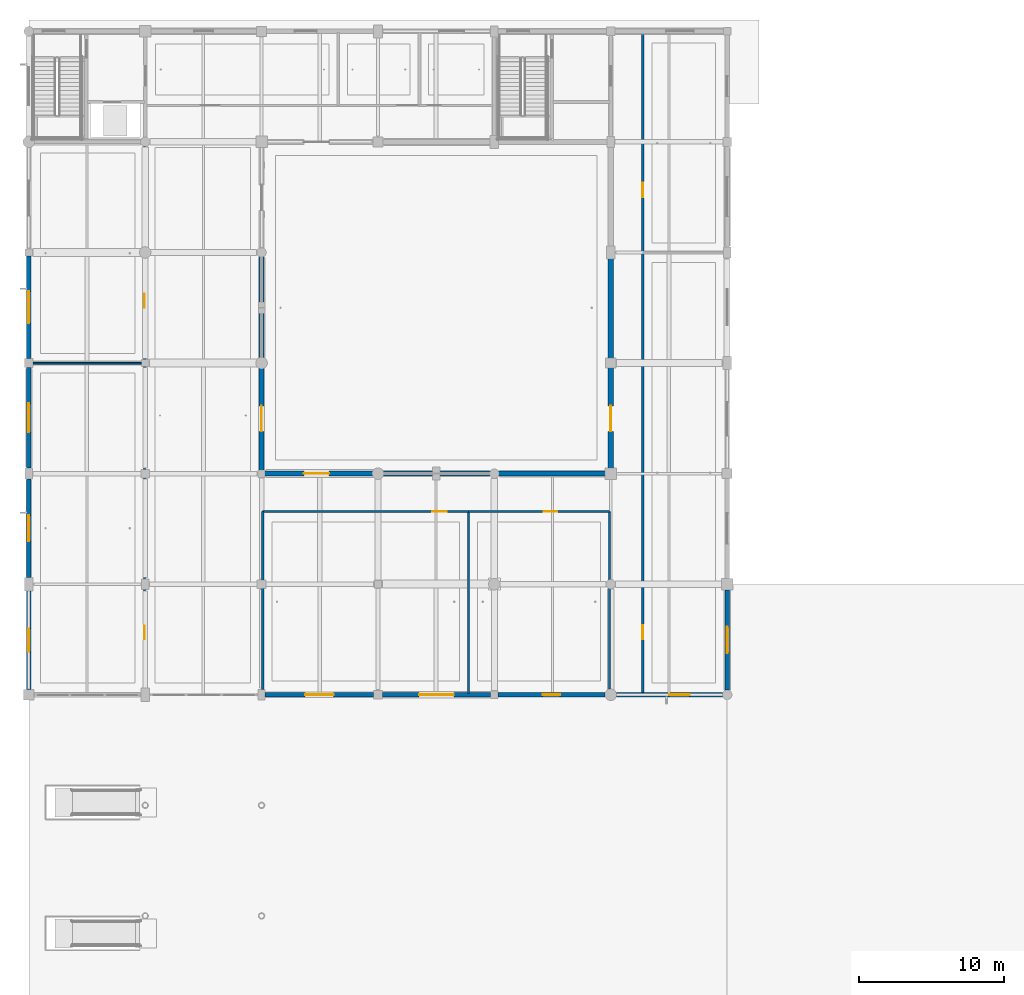
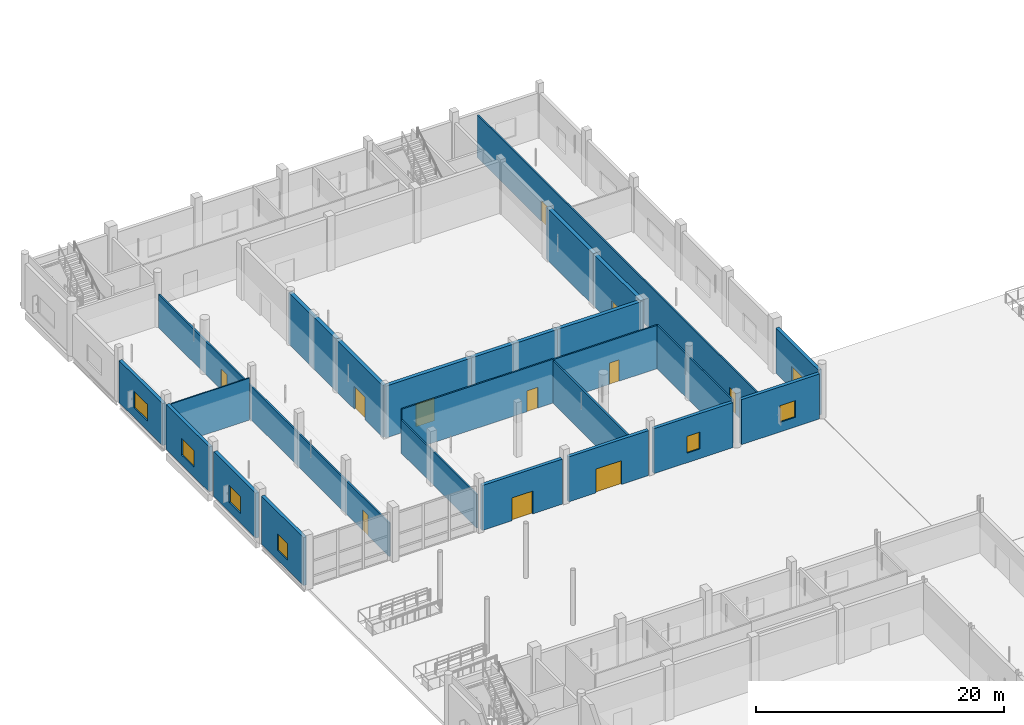
# One storey, part 64 of 126: 24 walls, 12 doors, 6 windows, 18 openings.
"""IFC4 building model written with IfcOpenShell, lengths in metres."""

from ifc_helpers import new_model, si_unit, direction, frame, frame_2d, origin, place, context, subcontext, project, spatial, rectangle, extrude, material, layer, layer_set, type_object, element, fill, save


model = new_model("IFC4")

# Units and contexts
model_context = context("Model", 3, precision=1e-05, world=origin(), true_north=direction((0.0, 1.0)))
body_context = subcontext(model_context, "Body", "Model", "MODEL_VIEW")
ifc_project = project(units=[si_unit("LENGTHUNIT", "METRE"), si_unit("AREAUNIT", "SQUARE_METRE"), si_unit("VOLUMEUNIT", "CUBIC_METRE"), si_unit("PLANEANGLEUNIT", "RADIAN"), si_unit("MASSUNIT", "GRAM", prefix="KILO")], contexts=[model_context])

# Site, building, storey
site_placement = place(None, origin())
site = spatial("IfcSite", under=ifc_project, at=site_placement, CompositionType="ELEMENT")
building_placement = place(site_placement, origin())
building = spatial("IfcBuilding", under=site, at=building_placement, Name="Khelvaren Railside Concert Hall", CompositionType="ELEMENT")
storey_placement = place(building_placement, origin())
storey = spatial("IfcBuildingStorey", under=building, at=storey_placement, Name="L00", CompositionType="ELEMENT", Elevation=0.0)

# Wall, opening, door
ifc_material_1 = material(Name="Board-marked architectural concrete C40/50", Category="concrete")
ifc_layer_1 = layer(ifc_material_1, 0.31005859375)
ifc_layer_set_1 = layer_set([ifc_layer_1], Name="Board-marked architectural concrete C40/50")
wall_type_1 = type_object("IfcWallType", Name="EW33", PredefinedType="SOLIDWALL", material=ifc_layer_set_1)
wall_1_placement = place(storey_placement, frame((23.699951171875, 68.39990234375, 0.0), z_axis=(0.0, 0.0, 1.0), x_axis=(-1.0, 0.0, 0.0)))
wall_1 = element("IfcWall", 1, at=wall_1_placement, inside=storey, type_object=wall_type_1, Name="V4 L00 Exterior Concrete Wall S-16", PredefinedType="SOLIDWALL", context=body_context, shape_type="SweptSolid", body=[
    extrude(rectangle(XDim=7.449951171875, YDim=0.31005859375, at=frame_2d((3.72509765625, 0.0))), origin(), (0.0, 0.0, 1.0), 4.43994140625),
])
opening_1_placement = place(wall_1_placement, frame((2.75, 0.0, 0.0)))
opening_1 = element("IfcOpeningElement", 2, at=opening_1_placement, cuts=wall_1, Name="Opening E-V4-01", PredefinedType="OPENING", context=body_context, shape_type="SweptSolid", body=[
    extrude(rectangle(XDim=1.949951171875, YDim=2.25, at=frame_2d((0.97509765625, 1.125))), frame((0.0, 0.1650390625, 0.0), z_axis=(0.0, -1.0, 0.0), x_axis=(1.0, 0.0, 0.0)), (0.0, 0.0, 1.0), 0.330078125),
])
ifc_material_2 = material(Name="Anodised bronze glazed entrance door", Category="aluminium")
door_type_1 = type_object("IfcDoorType", Name="EDR69", OperationType="NOTDEFINED", PredefinedType="DOOR", material=ifc_material_2)
door_1_placement = place(opening_1_placement, origin())
door_1 = element("IfcDoor", 3, at=door_1_placement, inside=storey, type_object=door_type_1, Name="Public Entrance Exit Door E-V4-01", OperationType="SINGLE_SWING_RIGHT", OverallHeight=2.25, OverallWidth=1.949951171875, PredefinedType="DOOR", context=body_context, shape_type="SweptSolid", body=[
    extrude(rectangle(XDim=1.949951171875, YDim=2.25, at=frame_2d((0.97509765625, 1.125))), frame((0.0, 0.02490234375, 0.0), z_axis=(0.0, -1.0, 0.0), x_axis=(1.0, 0.0, 0.0)), (0.0, 0.0, 1.0), 0.050048828125),
])
fill(opening_1, door_1)

wall_2_placement = place(storey_placement, frame((31.75, 68.39990234375, 0.0), z_axis=(0.0, 0.0, 1.0), x_axis=(-1.0, 0.0, 0.0)))
wall_2 = element("IfcWall", 4, at=wall_2_placement, inside=storey, type_object=wall_type_1, Name="V4 L00 Exterior Concrete Wall S-24", PredefinedType="SOLIDWALL", context=body_context, shape_type="SweptSolid", body=[
    extrude(rectangle(XDim=7.449951171875, YDim=0.31005859375, at=frame_2d((3.72509765625, 0.0))), origin(), (0.0, 0.0, 1.0), 4.43994140625),
])
opening_2_placement = place(wall_2_placement, frame((2.52490234375, 0.0, 0.0)))
opening_2 = element("IfcOpeningElement", 5, at=opening_2_placement, cuts=wall_2, Name="Opening E-V4-03", PredefinedType="OPENING", context=body_context, shape_type="SweptSolid", body=[
    extrude(rectangle(XDim=2.39990234375, YDim=2.35009765625, at=frame_2d((1.199951171875, 1.175048828125))), frame((0.0, 0.1650390625, 0.0), z_axis=(0.0, -1.0, 0.0), x_axis=(1.0, 0.0, 0.0)), (0.0, 0.0, 1.0), 0.330078125),
])
door_type_2 = type_object("IfcDoorType", Name="EDR86", OperationType="NOTDEFINED", PredefinedType="DOOR", material=ifc_material_2)
door_2_placement = place(opening_2_placement, origin())
door_2 = element("IfcDoor", 6, at=door_2_placement, inside=storey, type_object=door_type_2, Name="Public Entrance Exit Door E-V4-03", OperationType="SINGLE_SWING_LEFT", OverallHeight=2.35009765625, OverallWidth=2.39990234375, PredefinedType="DOOR", context=body_context, shape_type="SweptSolid", body=[
    extrude(rectangle(XDim=2.39990234375, YDim=2.35009765625, at=frame_2d((1.199951171875, 1.175048828125))), frame((0.0, 0.02490234375, 0.0), z_axis=(0.0, -1.0, 0.0), x_axis=(1.0, 0.0, 0.0)), (0.0, 0.0, 1.0), 0.050048828125),
])
fill(opening_2, door_2)

# Wall, opening, window
wall_3_placement = place(storey_placement, frame((39.60009765625, 68.39990234375, 0.0), z_axis=(0.0, 0.0, 1.0), x_axis=(-1.0, 0.0, 0.0)))
wall_3 = element("IfcWall", 7, at=wall_3_placement, inside=storey, type_object=wall_type_1, Name="V4 L00 Exterior Concrete Wall S-32", PredefinedType="SOLIDWALL", context=body_context, shape_type="SweptSolid", body=[
    extrude(rectangle(XDim=7.35009765625, YDim=0.31005859375, at=frame_2d((3.675048828125, 0.0))), origin(), (0.0, 0.0, 1.0), 4.43994140625),
])
opening_3_placement = place(wall_3_placement, frame((3.074951171875, 0.0, 0.949951171875)))
opening_3 = element("IfcOpeningElement", 8, at=opening_3_placement, cuts=wall_3, Name="Opening WN89", PredefinedType="OPENING", context=body_context, shape_type="SweptSolid", body=[
    extrude(rectangle(XDim=1.199951171875, YDim=1.64990234375, at=frame_2d((0.60009765625, 0.824951171875))), frame((0.0, 0.1650390625, 0.0), z_axis=(0.0, -1.0, 0.0), x_axis=(1.0, 0.0, 0.0)), (0.0, 0.0, 1.0), 0.330078125),
])
ifc_material_3 = material(Name="Triple-glazed acoustic aluminium window", Category="aluminium")
window_type_1 = type_object("IfcWindowType", Name="WN89", PartitioningType="SINGLE_PANEL", PredefinedType="WINDOW", material=ifc_material_3)
window_1_placement = place(opening_3_placement, origin())
window_1 = element("IfcWindow", 9, at=window_1_placement, inside=storey, type_object=window_type_1, Name="Acoustic Facade Window EW-V4-L00-S-32", OverallHeight=1.64990234375, OverallWidth=1.199951171875, PartitioningType="SINGLE_PANEL", PredefinedType="WINDOW", context=body_context, shape_type="SweptSolid", body=[
    extrude(rectangle(XDim=1.199951171875, YDim=1.64990234375, at=frame_2d((0.60009765625, 0.824951171875))), frame((0.0, 0.030029296875, 0.0), z_axis=(0.0, -1.0, 0.0), x_axis=(1.0, 0.0, 0.0)), (0.0, 0.0, 1.0), 0.06005859375),
])
fill(opening_3, window_1)

wall_4_placement = place(storey_placement, frame((47.675048828125, 68.39990234375, 0.0), z_axis=(0.0, 0.0, 1.0), x_axis=(-1.0, 0.0, 0.0)))
wall_4 = element("IfcWall", 10, at=wall_4_placement, inside=storey, type_object=wall_type_1, Name="V4 L00 Exterior Concrete Wall S-40", PredefinedType="SOLIDWALL", context=body_context, shape_type="SweptSolid", body=[
    extrude(rectangle(XDim=7.275146484375, YDim=0.31005859375, at=frame_2d((3.6376953125, 0.0))), origin(), (0.0, 0.0, 1.0), 4.43994140625),
])
opening_4_placement = place(wall_4_placement, frame((2.262451171875, 0.0, 0.949951171875)))
opening_4 = element("IfcOpeningElement", 11, at=opening_4_placement, cuts=wall_4, Name="Opening WN11", PredefinedType="OPENING", context=body_context, shape_type="SweptSolid", body=[
    extrude(rectangle(XDim=1.39990234375, YDim=1.64990234375, at=frame_2d((0.699951171875, 0.824951171875))), frame((0.0, 0.1650390625, 0.0), z_axis=(0.0, -1.0, 0.0), x_axis=(1.0, 0.0, 0.0)), (0.0, 0.0, 1.0), 0.330078125),
])
window_type_2 = type_object("IfcWindowType", Name="WN11", PartitioningType="SINGLE_PANEL", PredefinedType="WINDOW", material=ifc_material_3)
window_2_placement = place(opening_4_placement, origin())
window_2 = element("IfcWindow", 12, at=window_2_placement, inside=storey, type_object=window_type_2, Name="Acoustic Facade Window EW-V4-L00-S-40", OverallHeight=1.64990234375, OverallWidth=1.39990234375, PartitioningType="SINGLE_PANEL", PredefinedType="WINDOW", context=body_context, shape_type="SweptSolid", body=[
    extrude(rectangle(XDim=1.39990234375, YDim=1.64990234375, at=frame_2d((0.699951171875, 0.824951171875))), frame((0.0, 0.030029296875, 0.0), z_axis=(0.0, -1.0, 0.0), x_axis=(1.0, 0.0, 0.0)), (0.0, 0.0, 1.0), 0.06005859375),
])
fill(opening_4, window_2)

wall_5_placement = place(storey_placement, frame((0.0, 68.75, 0.0), z_axis=(0.0, 0.0, 1.0), x_axis=(0.0, 1.0, 0.0)))
wall_5 = element("IfcWall", 13, at=wall_5_placement, inside=storey, type_object=wall_type_1, Name="V4 L00 Exterior Concrete Wall W-68", PredefinedType="SOLIDWALL", context=body_context, shape_type="SweptSolid", body=[
    extrude(rectangle(XDim=6.800048828125, YDim=0.31005859375, at=frame_2d((3.39990234375, 0.0))), origin(), (0.0, 0.0, 1.0), 4.72998046875),
])
opening_5_placement = place(wall_5_placement, frame((2.60009765625, 0.0, 0.949951171875)))
opening_5 = element("IfcOpeningElement", 14, at=opening_5_placement, cuts=wall_5, Name="Opening WN73", PredefinedType="OPENING", context=body_context, shape_type="SweptSolid", body=[
    extrude(rectangle(XDim=1.60009765625, YDim=1.64990234375, at=frame_2d((0.800048828125, 0.824951171875))), frame((0.0, 0.1650390625, 0.0), z_axis=(0.0, -1.0, 0.0), x_axis=(1.0, 0.0, 0.0)), (0.0, 0.0, 1.0), 0.330078125),
])
window_type_3 = type_object("IfcWindowType", Name="WN73", PartitioningType="SINGLE_PANEL", PredefinedType="WINDOW", material=ifc_material_3)
window_3_placement = place(opening_5_placement, origin())
window_3 = element("IfcWindow", 15, at=window_3_placement, inside=storey, type_object=window_type_3, Name="Acoustic Facade Window EW-V4-L00-W-68", OverallHeight=1.64990234375, OverallWidth=1.60009765625, PartitioningType="SINGLE_PANEL", PredefinedType="WINDOW", context=body_context, shape_type="SweptSolid", body=[
    extrude(rectangle(XDim=1.60009765625, YDim=1.64990234375, at=frame_2d((0.800048828125, 0.824951171875))), frame((0.0, 0.030029296875, 0.0), z_axis=(0.0, -1.0, 0.0), x_axis=(1.0, 0.0, 0.0)), (0.0, 0.0, 1.0), 0.06005859375),
])
fill(opening_5, window_3)

wall_6_placement = place(storey_placement, frame((0.0, 76.449951171875, 0.0), z_axis=(0.0, 0.0, 1.0), x_axis=(0.0, 1.0, 0.0)))
wall_6 = element("IfcWall", 16, at=wall_6_placement, inside=storey, type_object=wall_type_1, Name="V4 L00 Exterior Concrete Wall W-76", PredefinedType="SOLIDWALL", context=body_context, shape_type="SweptSolid", body=[
    extrude(rectangle(XDim=6.775146484375, YDim=0.31005859375, at=frame_2d((3.3876953125, 0.0))), origin(), (0.0, 0.0, 1.0), 4.43994140625),
])
opening_6_placement = place(wall_6_placement, frame((2.487548828125, 0.0, 0.949951171875)))
opening_6 = element("IfcOpeningElement", 17, at=opening_6_placement, cuts=wall_6, Name="Opening WN96", PredefinedType="OPENING", context=body_context, shape_type="SweptSolid", body=[
    extrude(rectangle(XDim=1.800048828125, YDim=1.64990234375, at=frame_2d((0.89990234375, 0.824951171875))), frame((0.0, 0.1650390625, 0.0), z_axis=(0.0, -1.0, 0.0), x_axis=(1.0, 0.0, 0.0)), (0.0, 0.0, 1.0), 0.330078125),
])
window_type_4 = type_object("IfcWindowType", Name="WN96", PartitioningType="DOUBLE_PANEL_VERTICAL", PredefinedType="WINDOW", material=ifc_material_3)
window_4_placement = place(opening_6_placement, origin())
window_4 = element("IfcWindow", 18, at=window_4_placement, inside=storey, type_object=window_type_4, Name="Acoustic Facade Window EW-V4-L00-W-76", OverallHeight=1.64990234375, OverallWidth=1.800048828125, PartitioningType="DOUBLE_PANEL_VERTICAL", PredefinedType="WINDOW", context=body_context, shape_type="SweptSolid", body=[
    extrude(rectangle(XDim=1.800048828125, YDim=1.64990234375, at=frame_2d((0.89990234375, 0.824951171875))), frame((0.0, 0.030029296875, 0.0), z_axis=(0.0, -1.0, 0.0), x_axis=(1.0, 0.0, 0.0)), (0.0, 0.0, 1.0), 0.06005859375),
])
fill(opening_6, window_4)

wall_7_placement = place(storey_placement, frame((0.0, 83.97509765625, 0.0), z_axis=(0.0, 0.0, 1.0), x_axis=(0.0, 1.0, 0.0)))
wall_7 = element("IfcWall", 19, at=wall_7_placement, inside=storey, type_object=wall_type_1, Name="V4 L00 Exterior Concrete Wall W-84", PredefinedType="SOLIDWALL", context=body_context, shape_type="SweptSolid", body=[
    extrude(rectangle(XDim=6.9248046875, YDim=0.31005859375, at=frame_2d((3.46240234375, 0.0))), origin(), (0.0, 0.0, 1.0), 4.43994140625),
])
opening_7_placement = place(wall_7_placement, frame((2.46240234375, 0.0, 0.949951171875)))
opening_7 = element("IfcOpeningElement", 20, at=opening_7_placement, cuts=wall_7, Name="Opening WN51", PredefinedType="OPENING", context=body_context, shape_type="SweptSolid", body=[
    extrude(rectangle(XDim=2.0, YDim=1.64990234375, at=frame_2d((1.0, 0.824951171875))), frame((0.0, 0.1650390625, 0.0), z_axis=(0.0, -1.0, 0.0), x_axis=(1.0, 0.0, 0.0)), (0.0, 0.0, 1.0), 0.330078125),
])
window_type_5 = type_object("IfcWindowType", Name="WN51", PartitioningType="DOUBLE_PANEL_VERTICAL", PredefinedType="WINDOW", material=ifc_material_3)
window_5_placement = place(opening_7_placement, origin())
window_5 = element("IfcWindow", 21, at=window_5_placement, inside=storey, type_object=window_type_5, Name="Acoustic Facade Window EW-V4-L00-W-84", OverallHeight=1.64990234375, OverallWidth=2.0, PartitioningType="DOUBLE_PANEL_VERTICAL", PredefinedType="WINDOW", context=body_context, shape_type="SweptSolid", body=[
    extrude(rectangle(XDim=2.0, YDim=1.64990234375, at=frame_2d((1.0, 0.824951171875))), frame((0.0, 0.030029296875, 0.0), z_axis=(0.0, -1.0, 0.0), x_axis=(1.0, 0.0, 0.0)), (0.0, 0.0, 1.0), 0.06005859375),
])
fill(opening_7, window_5)

wall_8_placement = place(storey_placement, frame((0.0, 91.5, 0.0), z_axis=(0.0, 0.0, 1.0), x_axis=(0.0, 1.0, 0.0)))
wall_8 = element("IfcWall", 22, at=wall_8_placement, inside=storey, type_object=wall_type_1, Name="V4 L00 Exterior Concrete Wall W-91", PredefinedType="SOLIDWALL", context=body_context, shape_type="SweptSolid", body=[
    extrude(rectangle(XDim=7.050048828125, YDim=0.31005859375, at=frame_2d((3.52490234375, 0.0))), origin(), (0.0, 0.0, 1.0), 4.139892578125),
])
opening_8_placement = place(wall_8_placement, frame((2.425048828125, 0.0, 0.949951171875)))
opening_8 = element("IfcOpeningElement", 23, at=opening_8_placement, cuts=wall_8, Name="Opening WN37", PredefinedType="OPENING", context=body_context, shape_type="SweptSolid", body=[
    extrude(rectangle(XDim=2.199951171875, YDim=1.64990234375, at=frame_2d((1.10009765625, 0.824951171875))), frame((0.0, 0.1650390625, 0.0), z_axis=(0.0, -1.0, 0.0), x_axis=(1.0, 0.0, 0.0)), (0.0, 0.0, 1.0), 0.330078125),
])
window_type_6 = type_object("IfcWindowType", Name="WN37", PartitioningType="DOUBLE_PANEL_VERTICAL", PredefinedType="WINDOW", material=ifc_material_3)
window_6_placement = place(opening_8_placement, origin())
window_6 = element("IfcWindow", 24, at=window_6_placement, inside=storey, type_object=window_type_6, Name="Acoustic Facade Window EW-V4-L00-W-91", OverallHeight=1.64990234375, OverallWidth=2.199951171875, PartitioningType="DOUBLE_PANEL_VERTICAL", PredefinedType="WINDOW", context=body_context, shape_type="SweptSolid", body=[
    extrude(rectangle(XDim=2.199951171875, YDim=1.64990234375, at=frame_2d((1.10009765625, 0.824951171875))), frame((0.0, 0.030029296875, 0.0), z_axis=(0.0, -1.0, 0.0), x_axis=(1.0, 0.0, 0.0)), (0.0, 0.0, 1.0), 0.06005859375),
])
fill(opening_8, window_6)

# Wall, opening, door
wall_9_placement = place(storey_placement, frame((48.0, 75.60009765625, 0.0), z_axis=(0.0, 0.0, 1.0), x_axis=(0.0, -1.0, 0.0)))
wall_9 = element("IfcWall", 25, at=wall_9_placement, inside=storey, type_object=wall_type_1, Name="V4 L00 Exterior Concrete Wall E-68", PredefinedType="SOLIDWALL", context=body_context, shape_type="SweptSolid", body=[
    extrude(rectangle(XDim=6.875, YDim=0.31005859375, at=frame_2d((3.4375, 0.0))), origin(), (0.0, 0.0, 1.0), 4.43994140625),
])
opening_9_placement = place(wall_9_placement, frame((2.53759765625, 0.0, 0.0)))
opening_9 = element("IfcOpeningElement", 26, at=opening_9_placement, cuts=wall_9, Name="Opening E-V4-02", PredefinedType="OPENING", context=body_context, shape_type="SweptSolid", body=[
    extrude(rectangle(XDim=1.800048828125, YDim=2.199951171875, at=frame_2d((0.89990234375, 1.10009765625))), frame((0.0, 0.1650390625, 0.0), z_axis=(0.0, -1.0, 0.0), x_axis=(1.0, 0.0, 0.0)), (0.0, 0.0, 1.0), 0.330078125),
])
door_type_3 = type_object("IfcDoorType", Name="EDR55", OperationType="NOTDEFINED", PredefinedType="DOOR", material=ifc_material_2)
door_3_placement = place(opening_9_placement, origin())
door_3 = element("IfcDoor", 27, at=door_3_placement, inside=storey, type_object=door_type_3, Name="Public Entrance Exit Door E-V4-02", OperationType="SINGLE_SWING_RIGHT", OverallHeight=2.199951171875, OverallWidth=1.800048828125, PredefinedType="DOOR", context=body_context, shape_type="SweptSolid", body=[
    extrude(rectangle(XDim=1.800048828125, YDim=2.199951171875, at=frame_2d((0.89990234375, 1.10009765625))), frame((0.0, 0.02490234375, 0.0), z_axis=(0.0, -1.0, 0.0), x_axis=(1.0, 0.0, 0.0)), (0.0, 0.0, 1.0), 0.050048828125),
])
fill(opening_9, door_3)

# Wall, openings, doors
ifc_material_4 = material(Name="Acoustic double-stud gypsum partition", Category="gypsum")
ifc_layer_2 = layer(ifc_material_4, 0.139892578125)
ifc_layer_set_2 = layer_set([ifc_layer_2], Name="Acoustic double-stud gypsum partition")
wall_type_2 = type_object("IfcWallType", Name="PT55", PredefinedType="PARTITIONING", material=ifc_layer_set_2)
wall_10_placement = place(storey_placement, frame((42.199951171875, 68.47998046875, 0.0), z_axis=(0.0, 0.0, 1.0), x_axis=(0.0, 1.0, 0.0)))
wall_10 = element("IfcWall", 28, at=wall_10_placement, inside=storey, type_object=wall_type_2, Name="Acoustic Partition Wall PW-V4-L00-EB-W", PredefinedType="PARTITIONING", context=body_context, shape_type="SweptSolid", body=[
    extrude(rectangle(XDim=45.43994140625, YDim=0.139892578125, at=frame_2d((22.719970703125, 0.0))), origin(), (0.0, 0.0, 1.0), 4.22509765625),
])
opening_10_placement = place(wall_10_placement, frame((3.719970703125, 0.0, 0.0)))
opening_10 = element("IfcOpeningElement", 29, at=opening_10_placement, cuts=wall_10, Name="Opening IDR23", PredefinedType="OPENING", context=body_context, shape_type="SweptSolid", body=[
    extrude(rectangle(XDim=0.97998046875, YDim=2.050048828125, at=frame_2d((0.489990234375, 1.02490234375))), frame((0.0, 0.079833984375, 0.0), z_axis=(0.0, -1.0, 0.0), x_axis=(1.0, 0.0, 0.0)), (0.0, 0.0, 1.0), 0.159912109375),
])
opening_11_placement = place(wall_10_placement, frame((34.1201171875, 0.0, 0.0)))
opening_11 = element("IfcOpeningElement", 30, at=opening_11_placement, cuts=wall_10, Name="Opening IDR21", PredefinedType="OPENING", context=body_context, shape_type="SweptSolid", body=[
    extrude(rectangle(XDim=1.0, YDim=2.050048828125, at=frame_2d((0.5, 1.02490234375))), frame((0.0, 0.079833984375, 0.0), z_axis=(0.0, -1.0, 0.0), x_axis=(1.0, 0.0, 0.0)), (0.0, 0.0, 1.0), 0.159912109375),
])
ifc_material_5 = material(Name="Solid oak acoustic studio door", Category="wood")
door_type_4 = type_object("IfcDoorType", Name="IDR21", OperationType="NOTDEFINED", PredefinedType="DOOR", material=ifc_material_5)
door_4_placement = place(opening_11_placement, origin())
door_4 = element("IfcDoor", 31, at=door_4_placement, inside=storey, type_object=door_type_4, Name="Interior Door DR-V4-L00-EB-02", OperationType="SINGLE_SWING_LEFT", OverallHeight=2.050048828125, OverallWidth=1.0, PredefinedType="DOOR", context=body_context, shape_type="SweptSolid", body=[
    extrude(rectangle(XDim=1.0, YDim=2.050048828125, at=frame_2d((0.5, 1.02490234375))), frame((0.0, 0.02490234375, 0.0), z_axis=(0.0, -1.0, 0.0), x_axis=(1.0, 0.0, 0.0)), (0.0, 0.0, 1.0), 0.050048828125),
])
fill(opening_11, door_4)
door_type_5 = type_object("IfcDoorType", Name="IDR23", OperationType="NOTDEFINED", PredefinedType="DOOR", material=ifc_material_5)
door_5_placement = place(opening_10_placement, origin())
door_5 = element("IfcDoor", 32, at=door_5_placement, inside=storey, type_object=door_type_5, Name="Interior Door DR-V4-L00-EB-01", OperationType="SINGLE_SWING_RIGHT", OverallHeight=2.050048828125, OverallWidth=0.97998046875, PredefinedType="DOOR", context=body_context, shape_type="SweptSolid", body=[
    extrude(rectangle(XDim=0.97998046875, YDim=2.050048828125, at=frame_2d((0.489990234375, 1.02490234375))), frame((0.0, 0.02490234375, 0.0), z_axis=(0.0, -1.0, 0.0), x_axis=(1.0, 0.0, 0.0)), (0.0, 0.0, 1.0), 0.050048828125),
])
fill(opening_10, door_5)

# Wall, opening, door
wall_11_placement = place(storey_placement, frame((16.080078125, 81.0, 0.0), z_axis=(0.0, 0.0, 1.0), x_axis=(1.0, 0.0, 0.0)))
wall_11 = element("IfcWall", 33, at=wall_11_placement, inside=storey, type_object=wall_type_2, Name="Acoustic Partition Wall PW-V4-L00-SB-C01", PredefinedType="PARTITIONING", context=body_context, shape_type="SweptSolid", body=[
    extrude(rectangle(XDim=14.141845703125, YDim=0.139892578125, at=frame_2d((7.07080078125, 0.0))), origin(), (0.0, 0.0, 1.0), 4.324951171875),
])
opening_12_placement = place(wall_11_placement, frame((11.65185546875, 0.0, 0.0)))
opening_12 = element("IfcOpeningElement", 34, at=opening_12_placement, cuts=wall_11, Name="Opening IDR21", PredefinedType="OPENING", context=body_context, shape_type="SweptSolid", body=[
    extrude(rectangle(XDim=1.0, YDim=2.050048828125, at=frame_2d((0.5, 1.02490234375))), frame((0.0, 0.079833984375, 0.0), z_axis=(0.0, -1.0, 0.0), x_axis=(1.0, 0.0, 0.0)), (0.0, 0.0, 1.0), 0.159912109375),
])
door_6_placement = place(opening_12_placement, origin())
door_6 = element("IfcDoor", 35, at=door_6_placement, inside=storey, type_object=door_type_4, Name="Interior Door DR-V4-L00-SB-01", OperationType="SINGLE_SWING_RIGHT", OverallHeight=2.050048828125, OverallWidth=1.0, PredefinedType="DOOR", context=body_context, shape_type="SweptSolid", body=[
    extrude(rectangle(XDim=1.0, YDim=2.050048828125, at=frame_2d((0.5, 1.02490234375))), frame((0.0, 0.02490234375, 0.0), z_axis=(0.0, -1.0, 0.0), x_axis=(1.0, 0.0, 0.0)), (0.0, 0.0, 1.0), 0.050048828125),
])
fill(opening_12, door_6)

wall_12_placement = place(storey_placement, frame((30.221923828125, 81.0, 0.0), z_axis=(0.0, 0.0, 1.0), x_axis=(1.0, 0.0, 0.0)))
wall_12 = element("IfcWall", 36, at=wall_12_placement, inside=storey, type_object=wall_type_2, Name="Acoustic Partition Wall PW-V4-L00-SB-C02", PredefinedType="PARTITIONING", context=body_context, shape_type="SweptSolid", body=[
    extrude(rectangle(XDim=9.697998046875, YDim=0.139892578125, at=frame_2d((4.84912109375, 0.0))), origin(), (0.0, 0.0, 1.0), 4.27490234375),
])
opening_13_placement = place(wall_12_placement, frame((5.1748046875, 0.0, 0.0)))
opening_13 = element("IfcOpeningElement", 37, at=opening_13_placement, cuts=wall_12, Name="Opening IDR30", PredefinedType="OPENING", context=body_context, shape_type="SweptSolid", body=[
    extrude(rectangle(XDim=0.929931640625, YDim=2.10009765625, at=frame_2d((0.46484375, 1.050048828125))), frame((0.0, 0.079833984375, 0.0), z_axis=(0.0, -1.0, 0.0), x_axis=(1.0, 0.0, 0.0)), (0.0, 0.0, 1.0), 0.159912109375),
])
door_type_6 = type_object("IfcDoorType", Name="IDR30", OperationType="NOTDEFINED", PredefinedType="DOOR", material=ifc_material_5)
door_7_placement = place(opening_13_placement, origin())
door_7 = element("IfcDoor", 38, at=door_7_placement, inside=storey, type_object=door_type_6, Name="Interior Door DR-V4-L00-SB-02", OperationType="SINGLE_SWING_LEFT", OverallHeight=2.10009765625, OverallWidth=0.929931640625, PredefinedType="DOOR", context=body_context, shape_type="SweptSolid", body=[
    extrude(rectangle(XDim=0.929931640625, YDim=2.10009765625, at=frame_2d((0.46484375, 1.050048828125))), frame((0.0, 0.02490234375, 0.0), z_axis=(0.0, -1.0, 0.0), x_axis=(1.0, 0.0, 0.0)), (0.0, 0.0, 1.0), 0.050048828125),
])
fill(opening_13, door_7)

# Walls
wall_13_placement = place(storey_placement, frame((16.080078125, 68.77490234375, 0.0), z_axis=(0.0, 0.0, 1.0), x_axis=(0.0, 1.0, 0.0)))
element("IfcWall", 39, at=wall_13_placement, inside=storey, type_object=wall_type_2, Name="Acoustic Partition Wall PW-V4-L00-SB-W0", PredefinedType="PARTITIONING", context=body_context, shape_type="SweptSolid", body=[
    extrude(rectangle(XDim=12.22509765625, YDim=0.139892578125, at=frame_2d((6.112548828125, 0.0))), origin(), (0.0, 0.0, 1.0), 3.2900390625),
])
wall_14_placement = place(storey_placement, frame((39.919921875, 68.800048828125, 0.0), z_axis=(0.0, 0.0, 1.0), x_axis=(0.0, 1.0, 0.0)))
element("IfcWall", 40, at=wall_14_placement, inside=storey, type_object=wall_type_2, Name="Acoustic Partition Wall PW-V4-L00-SB-E0", PredefinedType="PARTITIONING", context=body_context, shape_type="SweptSolid", body=[
    extrude(rectangle(XDim=12.199951171875, YDim=0.139892578125, at=frame_2d((6.10009765625, 0.0))), origin(), (0.0, 0.0, 1.0), 4.27490234375),
])

# Wall, openings, doors
ifc_layer_3 = layer(ifc_material_4, 0.14990234375)
ifc_layer_set_3 = layer_set([ifc_layer_3], Name="Acoustic double-stud gypsum partition")
wall_type_3 = type_object("IfcWallType", Name="PT72", PredefinedType="PARTITIONING", material=ifc_layer_set_3)
wall_15_placement = place(storey_placement, frame((7.949951171875, 68.85009765625, 0.0), z_axis=(0.0, 0.0, 1.0), x_axis=(0.0, 1.0, 0.0)))
wall_15 = element("IfcWall", 41, at=wall_15_placement, inside=storey, type_object=wall_type_3, Name="Acoustic Partition Wall PW-V4-L00-WB-E", PredefinedType="PARTITIONING", context=body_context, shape_type="SweptSolid", body=[
    extrude(rectangle(XDim=37.224853515625, YDim=0.14990234375, at=frame_2d((18.6123046875, 0.0))), origin(), (0.0, 0.0, 1.0), 3.2900390625),
])
opening_14_placement = place(wall_15_placement, frame((3.35009765625, 0.0, 0.0)))
opening_14 = element("IfcOpeningElement", 42, at=opening_14_placement, cuts=wall_15, Name="Opening IDR92", PredefinedType="OPENING", context=body_context, shape_type="SweptSolid", body=[
    extrude(rectangle(XDim=0.93994140625, YDim=2.050048828125, at=frame_2d((0.469970703125, 1.02490234375))), frame((0.0, 0.0849609375, 0.0), z_axis=(0.0, -1.0, 0.0), x_axis=(1.0, 0.0, 0.0)), (0.0, 0.0, 1.0), 0.169921875),
])
opening_15_placement = place(wall_15_placement, frame((26.14990234375, 0.0, 0.0)))
opening_15 = element("IfcOpeningElement", 43, at=opening_15_placement, cuts=wall_15, Name="Opening IDR50", PredefinedType="OPENING", context=body_context, shape_type="SweptSolid", body=[
    extrude(rectangle(XDim=0.9599609375, YDim=2.050048828125, at=frame_2d((0.47998046875, 1.02490234375))), frame((0.0, 0.0849609375, 0.0), z_axis=(0.0, -1.0, 0.0), x_axis=(1.0, 0.0, 0.0)), (0.0, 0.0, 1.0), 0.169921875),
])
door_type_7 = type_object("IfcDoorType", Name="IDR50", OperationType="NOTDEFINED", PredefinedType="DOOR", material=ifc_material_5)
door_8_placement = place(opening_15_placement, origin())
door_8 = element("IfcDoor", 44, at=door_8_placement, inside=storey, type_object=door_type_7, Name="Interior Door DR-V4-L00-WB-02", OperationType="SINGLE_SWING_LEFT", OverallHeight=2.050048828125, OverallWidth=0.9599609375, PredefinedType="DOOR", context=body_context, shape_type="SweptSolid", body=[
    extrude(rectangle(XDim=0.9599609375, YDim=2.050048828125, at=frame_2d((0.47998046875, 1.02490234375))), frame((0.0, 0.02490234375, 0.0), z_axis=(0.0, -1.0, 0.0), x_axis=(1.0, 0.0, 0.0)), (0.0, 0.0, 1.0), 0.050048828125),
])
fill(opening_15, door_8)
door_type_8 = type_object("IfcDoorType", Name="IDR92", OperationType="NOTDEFINED", PredefinedType="DOOR", material=ifc_material_5)
door_9_placement = place(opening_14_placement, origin())
door_9 = element("IfcDoor", 45, at=door_9_placement, inside=storey, type_object=door_type_8, Name="Interior Door DR-V4-L00-WB-01", OperationType="SINGLE_SWING_RIGHT", OverallHeight=2.050048828125, OverallWidth=0.93994140625, PredefinedType="DOOR", context=body_context, shape_type="SweptSolid", body=[
    extrude(rectangle(XDim=0.93994140625, YDim=2.050048828125, at=frame_2d((0.469970703125, 1.02490234375))), frame((0.0, 0.02490234375, 0.0), z_axis=(0.0, -1.0, 0.0), x_axis=(1.0, 0.0, 0.0)), (0.0, 0.0, 1.0), 0.050048828125),
])
fill(opening_14, door_9)

# Walls
ifc_layer_4 = layer(ifc_material_4, 0.1201171875)
ifc_layer_set_4 = layer_set([ifc_layer_4], Name="Acoustic double-stud gypsum partition")
wall_type_4 = type_object("IfcWallType", Name="PT74", PredefinedType="PARTITIONING", material=ifc_layer_set_4)
wall_16_placement = place(storey_placement, frame((0.300048828125, 91.179931640625, 0.0), z_axis=(0.0, 0.0, 1.0), x_axis=(1.0, 0.0, 0.0)))
element("IfcWall", 46, at=wall_16_placement, inside=storey, type_object=wall_type_4, Name="Acoustic Partition Wall PW-V4-L00-WB-D01", PredefinedType="PARTITIONING", context=body_context, shape_type="SweptSolid", body=[
    extrude(rectangle(XDim=7.449951171875, YDim=0.1201171875, at=frame_2d((3.72509765625, 0.0))), origin(), (0.0, 0.0, 1.0), 4.139892578125),
])
ifc_layer_5 = layer(ifc_material_4, 0.169921875)
ifc_layer_set_5 = layer_set([ifc_layer_5], Name="Acoustic double-stud gypsum partition")
wall_type_5 = type_object("IfcWallType", Name="PT94", PredefinedType="PARTITIONING", material=ifc_layer_set_5)
wall_17_placement = place(storey_placement, frame((30.221923828125, 68.47998046875, 0.0), z_axis=(0.0, 0.0, 1.0), x_axis=(0.0, 1.0, 0.0)))
element("IfcWall", 47, at=wall_17_placement, inside=storey, type_object=wall_type_5, Name="Acoustic Partition Wall PW-V4-L00-SB-D01", PredefinedType="PARTITIONING", context=body_context, shape_type="SweptSolid", body=[
    extrude(rectangle(XDim=12.52001953125, YDim=0.169921875, at=frame_2d((6.260009765625, 0.0))), origin(), (0.0, 0.0, 1.0), 4.175048828125),
])

# Wall, opening, door
ifc_material_6 = material(Name="Concrete C40/50", Category="concrete")
ifc_layer_6 = layer(ifc_material_6, 0.35009765625)
ifc_layer_set_6 = layer_set([ifc_layer_6], Name="Concrete C40/50")
wall_type_6 = type_object("IfcWallType", Name="SW91", PredefinedType="SHEAR", material=ifc_layer_set_6)
wall_18_placement = place(storey_placement, frame((16.0, 83.60009765625, 0.0), z_axis=(0.0, 0.0, 1.0), x_axis=(1.0, 0.0, 0.0)))
wall_18 = element("IfcWall", 48, at=wall_18_placement, inside=storey, type_object=wall_type_6, Name="V4 Chamber Box Shear Wall L00 S1", PredefinedType="SHEAR", context=body_context, shape_type="SweptSolid", body=[
    extrude(rectangle(XDim=8.0, YDim=0.35009765625, at=frame_2d((4.0, 0.0))), origin(), (0.0, 0.0, 1.0), 5.10009765625),
])
opening_16_placement = place(wall_18_placement, frame((2.89990234375, 0.0, 0.0)))
opening_16 = element("IfcOpeningElement", 49, at=opening_16_placement, cuts=wall_18, Name="Opening ADR83", PredefinedType="OPENING", context=body_context, shape_type="SweptSolid", body=[
    extrude(rectangle(XDim=1.75, YDim=2.25, at=frame_2d((0.875, 1.125))), frame((0.0, 0.18505859375, 0.0), z_axis=(0.0, -1.0, 0.0), x_axis=(1.0, 0.0, 0.0)), (0.0, 0.0, 1.0), 0.3701171875),
])
ifc_material_7 = material(Name="Heavy acoustic double sound-lock fire door", Category="wood")
door_type_9 = type_object("IfcDoorType", Name="ADR83", OperationType="DOUBLE_DOOR_SINGLE_SWING", PredefinedType="DOOR", material=ifc_material_7)
door_10_placement = place(opening_16_placement, origin())
door_10 = element("IfcDoor", 50, at=door_10_placement, inside=storey, type_object=door_type_9, Name="Chamber Music Hall Acoustic Sound-Lock Door L00-S1", OperationType="DOUBLE_DOOR_SINGLE_SWING", OverallHeight=2.25, OverallWidth=1.75, PredefinedType="DOOR", context=body_context, shape_type="SweptSolid", body=[
    extrude(rectangle(XDim=1.75, YDim=2.25, at=frame_2d((0.875, 1.125))), frame((0.0, 0.02490234375, 0.0), z_axis=(0.0, -1.0, 0.0), x_axis=(1.0, 0.0, 0.0)), (0.0, 0.0, 1.0), 0.050048828125),
])
fill(opening_16, door_10)

# Walls
for number, where, z_axis, x_axis, name in (
    (51, (24.0, 83.60009765625, 0.0), (0.0, 0.0, 1.0), (1.0, 0.0, 0.0), "V4 Chamber Box Shear Wall L00 S2"),
    (52, (32.0, 83.60009765625, 0.0), (0.0, 0.0, 1.0), (1.0, 0.0, 0.0), "V4 Chamber Box Shear Wall L00 S3"),
):
    element("IfcWall", number, at=place(storey_placement, frame(where, z_axis=z_axis, x_axis=x_axis)), inside=storey, type_object=wall_type_6, Name=name, PredefinedType="SHEAR", context=body_context, shape_type="SweptSolid", body=[
        extrude(rectangle(XDim=8.0, YDim=0.35009765625, at=frame_2d((4.0, 0.0))), origin(), (0.0, 0.0, 1.0), 5.10009765625),
    ])

# Wall, opening, door
wall_19_placement = place(storey_placement, frame((16.0, 83.60009765625, 0.0), z_axis=(0.0, 0.0, 1.0), x_axis=(0.0, 1.0, 0.0)))
wall_19 = element("IfcWall", 53, at=wall_19_placement, inside=storey, type_object=wall_type_6, Name="V4 Chamber Box Shear Wall L00 W1", PredefinedType="SHEAR", context=body_context, shape_type="SweptSolid", body=[
    extrude(rectangle(XDim=7.599853515625, YDim=0.35009765625, at=frame_2d((3.7998046875, 0.0))), origin(), (0.0, 0.0, 1.0), 5.10009765625),
])
opening_17_placement = place(wall_19_placement, frame((2.89990234375, 0.0, 0.0)))
opening_17 = element("IfcOpeningElement", 54, at=opening_17_placement, cuts=wall_19, Name="Opening ADR83", PredefinedType="OPENING", context=body_context, shape_type="SweptSolid", body=[
    extrude(rectangle(XDim=1.75, YDim=2.25, at=frame_2d((0.875, 1.125))), frame((0.0, 0.18505859375, 0.0), z_axis=(0.0, -1.0, 0.0), x_axis=(1.0, 0.0, 0.0)), (0.0, 0.0, 1.0), 0.3701171875),
])
door_11_placement = place(opening_17_placement, origin())
door_11 = element("IfcDoor", 55, at=door_11_placement, inside=storey, type_object=door_type_9, Name="Chamber Music Hall Acoustic Sound-Lock Door L00-W1", OperationType="DOUBLE_DOOR_SINGLE_SWING", OverallHeight=2.25, OverallWidth=1.75, PredefinedType="DOOR", context=body_context, shape_type="SweptSolid", body=[
    extrude(rectangle(XDim=1.75, YDim=2.25, at=frame_2d((0.875, 1.125))), frame((0.0, 0.02490234375, 0.0), z_axis=(0.0, -1.0, 0.0), x_axis=(1.0, 0.0, 0.0)), (0.0, 0.0, 1.0), 0.050048828125),
])
fill(opening_17, door_11)

# Wall
wall_20_placement = place(storey_placement, frame((16.0, 91.199951171875, 0.0), z_axis=(0.0, 0.0, 1.0), x_axis=(0.0, 1.0, 0.0)))
element("IfcWall", 56, at=wall_20_placement, inside=storey, type_object=wall_type_6, Name="V4 Chamber Box Shear Wall L00 W2", PredefinedType="SHEAR", context=body_context, shape_type="SweptSolid", body=[
    extrude(rectangle(XDim=7.60009765625, YDim=0.35009765625, at=frame_2d((3.800048828125, 0.0))), origin(), (0.0, 0.0, 1.0), 5.10009765625),
])

# Wall, opening, door
wall_21_placement = place(storey_placement, frame((40.0, 83.60009765625, 0.0), z_axis=(0.0, 0.0, 1.0), x_axis=(0.0, 1.0, 0.0)))
wall_21 = element("IfcWall", 57, at=wall_21_placement, inside=storey, type_object=wall_type_6, Name="V4 Chamber Box Shear Wall L00 E1", PredefinedType="SHEAR", context=body_context, shape_type="SweptSolid", body=[
    extrude(rectangle(XDim=7.599853515625, YDim=0.35009765625, at=frame_2d((3.7998046875, 0.0))), origin(), (0.0, 0.0, 1.0), 5.10009765625),
])
opening_18_placement = place(wall_21_placement, frame((2.89990234375, 0.0, 0.0)))
opening_18 = element("IfcOpeningElement", 58, at=opening_18_placement, cuts=wall_21, Name="Opening ADR83", PredefinedType="OPENING", context=body_context, shape_type="SweptSolid", body=[
    extrude(rectangle(XDim=1.75, YDim=2.25, at=frame_2d((0.875, 1.125))), frame((0.0, 0.18505859375, 0.0), z_axis=(0.0, -1.0, 0.0), x_axis=(1.0, 0.0, 0.0)), (0.0, 0.0, 1.0), 0.3701171875),
])
door_12_placement = place(opening_18_placement, origin())
door_12 = element("IfcDoor", 59, at=door_12_placement, inside=storey, type_object=door_type_9, Name="Chamber Music Hall Acoustic Sound-Lock Door L00-E1", OperationType="DOUBLE_DOOR_SINGLE_SWING", OverallHeight=2.25, OverallWidth=1.75, PredefinedType="DOOR", context=body_context, shape_type="SweptSolid", body=[
    extrude(rectangle(XDim=1.75, YDim=2.25, at=frame_2d((0.875, 1.125))), frame((0.0, 0.02490234375, 0.0), z_axis=(0.0, -1.0, 0.0), x_axis=(1.0, 0.0, 0.0)), (0.0, 0.0, 1.0), 0.050048828125),
])
fill(opening_18, door_12)

# Wall
wall_22_placement = place(storey_placement, frame((40.0, 91.199951171875, 0.0), z_axis=(0.0, 0.0, 1.0), x_axis=(0.0, 1.0, 0.0)))
element("IfcWall", 60, at=wall_22_placement, inside=storey, type_object=wall_type_6, Name="V4 Chamber Box Shear Wall L00 E2", PredefinedType="SHEAR", context=body_context, shape_type="SweptSolid", body=[
    extrude(rectangle(XDim=7.60009765625, YDim=0.35009765625, at=frame_2d((3.800048828125, 0.0))), origin(), (0.0, 0.0, 1.0), 5.10009765625),
])

save(model, "model.ifc")
